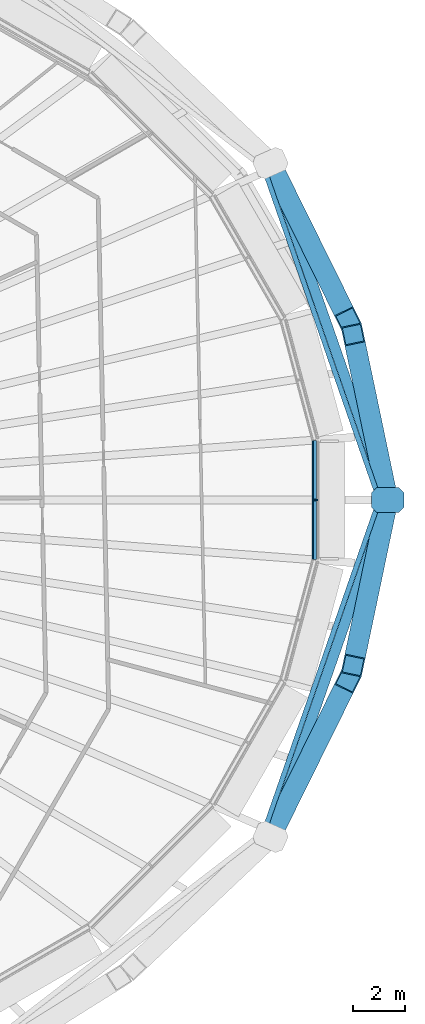
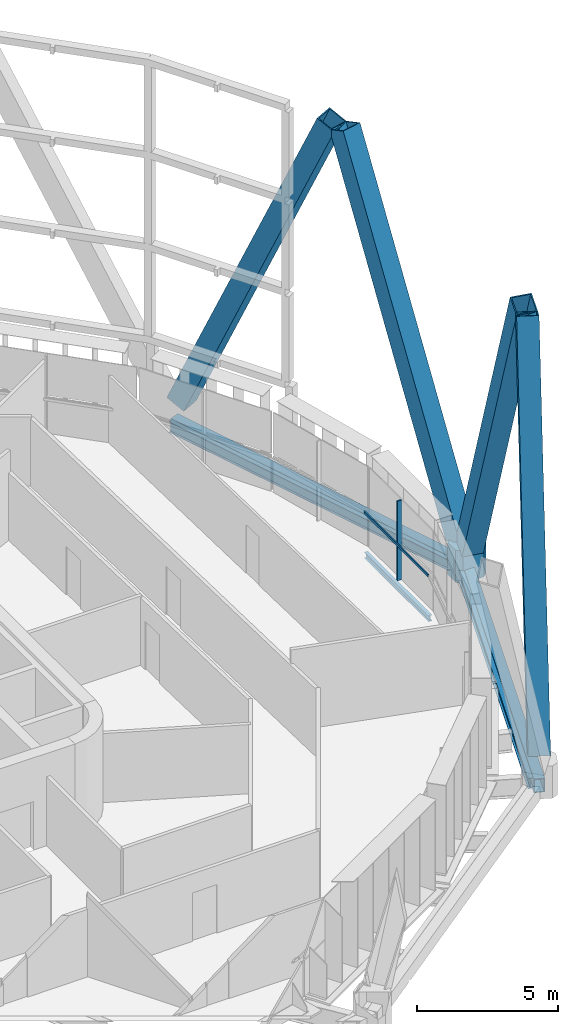
# One storey, part 10 of 25: 7 members, 5 beams, 1 element without a shape of its own.
"""IFC4 building model written with IfcOpenShell, lengths in metres."""

import ifcopenshell
import ifcopenshell.guid

model = None  # the IFC model being written
_history = None  # IfcOwnerHistory: only IFC2X3 demands one
_inside = {}  # id of a spatial element -> (the spatial element, [elements in it])
_under = {}  # id of a project, library or spatial element -> (it, [spatial elements below it])
_declared = {}  # id of a project -> (the project, [libraries it declares])
_typed = {}  # id of a type object -> (the type object, [elements of that type])
_made_of = {}  # id of a material, layer set ... -> (it, [elements and type objects made of it])


def new_model(schema):
    """Start an empty IFC model of exactly this schema.

    Asked for "IFC4X3", IfcOpenShell would pick the latest addendum, in which some entities
    have other attributes; the version numbers below select the first issue.
    IFC2X3 requires an IfcOwnerHistory on every rooted entity: one is made here for all.
    """
    global model, _history
    if schema == "IFC4X3":
        model = ifcopenshell.file(schema_version=(4, 3, 0, 0))
    else:
        model = ifcopenshell.file(schema=schema)
    _inside.clear()
    _under.clear()
    _declared.clear()
    _typed.clear()
    _made_of.clear()
    _history = None
    if model.schema == "IFC2X3":
        org = make("IfcOrganization", Name="unknown")
        user = make(
            "IfcPersonAndOrganization",
            ThePerson=make("IfcPerson", FamilyName="unknown"),
            TheOrganization=org,
        )
        app = make(
            "IfcApplication",
            ApplicationDeveloper=org,
            Version="unknown",
            ApplicationFullName="unknown",
            ApplicationIdentifier="unknown",
        )
        _history = make(
            "IfcOwnerHistory",
            OwningUser=user,
            OwningApplication=app,
            ChangeAction="ADDED",
            CreationDate=0,
        )
    return model


def make(cls, **values):
    """One entity of the class cls with the attributes given. An attribute that is None is left unset."""
    return model.create_entity(
        cls, **{name: value for name, value in values.items() if value is not None}
    )


def rooted(cls, **values):
    """An entity with a GlobalId (a new one), such as an element, a storey or a relation."""
    return make(cls, GlobalId=ifcopenshell.guid.new(), OwnerHistory=_history, **values)


def si_unit(unit_type, name, prefix=None):
    """IfcSIUnit, for example si_unit("LENGTHUNIT", "METRE", prefix="MILLI")."""
    return make("IfcSIUnit", UnitType=unit_type, Prefix=prefix, Name=name)


def assignment(units):
    """IfcUnitAssignment: the units of a project."""
    return None if units is None else make("IfcUnitAssignment", Units=units)


def point(xyz):
    """IfcCartesianPoint."""
    return None if xyz is None else make("IfcCartesianPoint", Coordinates=xyz)


def direction(xyz):
    """IfcDirection."""
    return None if xyz is None else make("IfcDirection", DirectionRatios=xyz)


def frame(location, z_axis=None, x_axis=None):
    """IfcAxis2Placement3D, a coordinate frame: its origin and axes. An axis left out is left unset."""
    return make(
        "IfcAxis2Placement3D",
        Location=point(location),
        Axis=direction(z_axis),
        RefDirection=direction(x_axis),
    )


def frame_2d(location, x_axis=None):
    """IfcAxis2Placement2D, a coordinate frame in the plane: its origin and x axis."""
    return make(
        "IfcAxis2Placement2D", Location=point(location), RefDirection=direction(x_axis)
    )


def origin():
    """The frame at (0, 0, 0) with its axes left unset."""
    return frame((0.0, 0.0, 0.0))


def origin_2d():
    """The frame at (0, 0) in the plane with its x axis left unset."""
    return frame_2d((0.0, 0.0))


def place(relative_to, where):
    """IfcLocalPlacement: puts the frame where relative to a parent placement (None: the world)."""
    return make(
        "IfcLocalPlacement", PlacementRelTo=relative_to, RelativePlacement=where
    )


def context(
    kind, dimensions, precision=None, world=None, true_north=None, identifier=None
):
    """IfcGeometricRepresentationContext, for example the 3D "Model" context."""
    return make(
        "IfcGeometricRepresentationContext",
        ContextIdentifier=identifier,
        ContextType=kind,
        CoordinateSpaceDimension=dimensions,
        Precision=precision,
        WorldCoordinateSystem=world,
        TrueNorth=true_north,
    )


def subcontext(parent, identifier, kind, view, scale=None):
    """IfcGeometricRepresentationSubContext, for example "Body" below "Model"."""
    return make(
        "IfcGeometricRepresentationSubContext",
        ContextIdentifier=identifier,
        ContextType=kind,
        ParentContext=parent,
        TargetScale=scale,
        TargetView=view,
    )


def project(units=None, contexts=None):
    """IfcProject with its units and contexts."""
    return rooted(
        "IfcProject",
        Name="project",
        RepresentationContexts=contexts,
        UnitsInContext=assignment(units),
    )


def spatial(cls, under=None, at=None, **own):
    """A site, building, storey or space (cls), placed at a placement, below another one or the project."""
    s = rooted(cls, ObjectPlacement=at, **own)
    if under is not None:
        _under.setdefault(under.id(), (under, []))[1].append(s)
    return s


def polyline(points):
    """IfcPolyline through the points."""
    return make("IfcPolyline", Points=[point(p) for p in points])


def profile(cls, at=None, kind="AREA", **sizes):
    """A parametric profile (cls). Its sizes go by their IFC names, for example OverallWidth=200.0."""
    return make(cls, ProfileType=kind, Position=at, **sizes)


def rectangle(**sizes):
    """IfcRectangleProfileDef."""
    return profile("IfcRectangleProfileDef", **sizes)


def hollow_rectangle(**sizes):
    """IfcRectangleHollowProfileDef."""
    return profile("IfcRectangleHollowProfileDef", **sizes)


def i_section(**sizes):
    """IfcIShapeProfileDef."""
    return profile("IfcIShapeProfileDef", **sizes)


def outline(outer, holes=None, kind="AREA"):
    """IfcArbitraryClosedProfileDef: a profile drawn as a closed curve; with holes, ...WithVoids."""
    if holes is None:
        return make("IfcArbitraryClosedProfileDef", ProfileType=kind, OuterCurve=outer)
    return make(
        "IfcArbitraryProfileDefWithVoids",
        ProfileType=kind,
        OuterCurve=outer,
        InnerCurves=holes,
    )


def extrude(swept, where, along, depth):
    """IfcExtrudedAreaSolid: the profile swept, set in the frame where, extruded along a direction by depth."""
    return make(
        "IfcExtrudedAreaSolid",
        SweptArea=swept,
        Position=where,
        ExtrudedDirection=direction(along),
        Depth=depth,
    )


def shape(context_of_items, identifier, shape_type, items):
    """IfcShapeRepresentation: the items that make up one representation, for example the "Body"."""
    return make(
        "IfcShapeRepresentation",
        ContextOfItems=context_of_items,
        RepresentationIdentifier=identifier,
        RepresentationType=shape_type,
        Items=items,
    )


def material(Name=None, Category=None):
    """IfcMaterial."""
    return make("IfcMaterial", Name=Name, Category=Category)


def layer(
    of_material, thickness, ventilated=None, Name=None, Category=None, Priority=None
):
    """IfcMaterialLayer: one layer of a wall or slab, of a material (None: an air gap)."""
    return make(
        "IfcMaterialLayer",
        Material=of_material,
        LayerThickness=thickness,
        IsVentilated=ventilated,
        Name=Name,
        Category=Category,
        Priority=Priority,
    )


def layer_set(layers, Name=None):
    """IfcMaterialLayerSet."""
    return make("IfcMaterialLayerSet", MaterialLayers=layers, LayerSetName=Name)


def material_profile(
    of_material, cross_section, Name=None, Category=None, Priority=None
):
    """IfcMaterialProfile: a cross section and its material."""
    return make(
        "IfcMaterialProfile",
        Name=Name,
        Material=of_material,
        Profile=cross_section,
        Priority=Priority,
        Category=Category,
    )


def profile_set(profiles, Name=None, composite=None):
    """IfcMaterialProfileSet."""
    return make(
        "IfcMaterialProfileSet",
        Name=Name,
        MaterialProfiles=profiles,
        CompositeProfile=composite,
    )


def made_of(thing, what):
    """Note that an element or type object is made of a material, layer set ...; save() writes the relation."""
    if what is not None:
        _made_of.setdefault(what.id(), (what, []))[1].append(thing)
    return thing


def type_object(cls, material=None, **own):
    """A type object (cls), such as IfcWallType, which elements share."""
    return made_of(rooted(cls, **own), material)


def element(
    cls,
    number,
    at=None,
    inside=None,
    cuts=None,
    type_object=None,
    material=None,
    context=None,
    identifier="Body",
    shape_type=None,
    held_by="IfcProductDefinitionShape",
    body=None,
    shapes=None,
    **own,
):
    """One element of the class cls, such as IfcWall. Its Tag is "e" and its number.

    at: its placement. inside: the storey or other place that contains it. cuts: it is an
    opening in that element (IfcRelVoidsElement). A single representation is given by context,
    identifier, shape_type and body (its items); several are given by shapes. held_by: the class
    of the entity that holds the representations. save() writes the other relations.
    """
    e = rooted(cls, Tag="e%d" % number, ObjectPlacement=at, **own)
    if body is not None:
        shapes = [shape(context, identifier, shape_type, body)]
    if shapes is not None:
        e.Representation = make(held_by, Representations=shapes)
    if inside is not None:
        _inside.setdefault(inside.id(), (inside, []))[1].append(e)
    if cuts is not None:
        rooted(
            "IfcRelVoidsElement", RelatingBuildingElement=cuts, RelatedOpeningElement=e
        )
    if type_object is not None:
        _typed.setdefault(type_object.id(), (type_object, []))[1].append(e)
    return made_of(e, material)


def aggregate(whole, parts):
    """IfcRelAggregates: a whole, such as a stair, and the parts it consists of."""
    return rooted("IfcRelAggregates", RelatingObject=whole, RelatedObjects=parts)


def save(model, path):
    """Write the relations noted so far, then the file.

    IfcRelAggregates (storeys below a building ...), IfcRelContainedInSpatialStructure (elements
    in a storey), IfcRelDefinesByType, IfcRelAssociatesMaterial and IfcRelDeclares: one each for
    every whole, place, type object, material and project.
    """
    for whole, parts in _under.values():
        aggregate(whole, parts)
    for where, things in _inside.values():
        rooted(
            "IfcRelContainedInSpatialStructure",
            RelatedElements=things,
            RelatingStructure=where,
        )
    for kind, things in _typed.values():
        rooted("IfcRelDefinesByType", RelatedObjects=things, RelatingType=kind)
    for what, things in _made_of.values():
        rooted("IfcRelAssociatesMaterial", RelatedObjects=things, RelatingMaterial=what)
    for by, libraries in _declared.values():
        rooted("IfcRelDeclares", RelatingContext=by, RelatedDefinitions=libraries)
    model.write(path)


model = new_model("IFC4")

# Units and contexts
model_context = context("Model", 3, precision=1e-05, world=origin(), true_north=direction((0.0, 1.0)))
body_context = subcontext(model_context, "Body", "Model", "MODEL_VIEW")
ifc_project = project(units=[si_unit("LENGTHUNIT", "METRE"), si_unit("AREAUNIT", "SQUARE_METRE"), si_unit("VOLUMEUNIT", "CUBIC_METRE"), si_unit("PLANEANGLEUNIT", "RADIAN"), si_unit("MASSUNIT", "GRAM", prefix="KILO")], contexts=[model_context])

# Site, building, storey
site_placement = place(None, origin())
site = spatial("IfcSite", under=ifc_project, at=site_placement, CompositionType="ELEMENT")
building_placement = place(site_placement, origin())
building = spatial("IfcBuilding", under=site, at=building_placement, Name="Sahrelin Media Tower", CompositionType="ELEMENT")
storey_placement = place(building_placement, frame((0.0, 0.0, 181.60009765625)))
storey = spatial("IfcBuildingStorey", under=building, at=storey_placement, Name="L38", CompositionType="ELEMENT", Elevation=181.60009765625)

# Members
ifc_material_1 = material(Name="Steel S460", Category="steel")
ifc_material_profile_1 = material_profile(ifc_material_1, hollow_rectangle(XDim=0.800048828125, YDim=0.800048828125, WallThickness=0.044921875, at=origin_2d()), Name="Diagrid diagonal DG5")
ifc_profile_set_1 = profile_set([ifc_material_profile_1], Name="Steel S460")
member_type_1 = type_object("IfcMemberType", Name="Diagrid diagonal DG5", PredefinedType="BRACE", material=ifc_profile_set_1)
member_1_placement = place(storey_placement, frame((33.62060546875, 0.291259765625, 0.699951171875), z_axis=(-0.080128703481, 0.38302351251, 0.920256692311), x_axis=(-0.978810609336, -0.204767651379, 0.0)))
element("IfcMember", 1, at=member_1_placement, inside=storey, type_object=member_type_1, Name="Diagrid diagonal D08-00", PredefinedType="BRACE", context=body_context, shape_type="SweptSolid", body=[
    extrude(hollow_rectangle(XDim=0.800048828125, YDim=0.800048828125, WallThickness=0.044921875, at=origin_2d()), origin(), (0.0, 0.0, 1.0), 15.864990234375),
])
for number, where, z_axis, x_axis, name in (
    (2, (29.3056640625, 12.6865234375, 0.699951171875), (0.17846698744, -0.360653950686, 0.915466144785), (0.896268464478, 0.44351193849, 0.0), "Diagrid diagonal D08-01"),
    (3, (29.3056640625, -12.6865234375, 0.699951171875), (0.17846698744, 0.360653950686, 0.915466144785), (-0.896268464478, 0.44351193849, 0.0), "Diagrid diagonal D08-22"),
):
    element("IfcMember", number, at=place(storey_placement, frame(where, z_axis=z_axis, x_axis=x_axis)), inside=storey, type_object=member_type_1, Name=name, PredefinedType="BRACE", context=body_context, shape_type="SweptSolid", body=[
        extrude(hollow_rectangle(XDim=0.800048828125, YDim=0.800048828125, WallThickness=0.044921875, at=origin_2d()), origin(), (0.0, 0.0, 1.0), 15.947998046875),
    ])
member_2_placement = place(storey_placement, frame((33.62060546875, -0.291259765625, 0.699951171875), z_axis=(-0.080128703481, -0.38302351251, 0.920256692311), x_axis=(0.978810609336, -0.204767651379, 0.0)))
element("IfcMember", 4, at=member_2_placement, inside=storey, type_object=member_type_1, Name="Diagrid diagonal D08-23", PredefinedType="BRACE", context=body_context, shape_type="SweptSolid", body=[
    extrude(hollow_rectangle(XDim=0.800048828125, YDim=0.800048828125, WallThickness=0.044921875, at=origin_2d()), origin(), (0.0, 0.0, 1.0), 15.864990234375),
])
ifc_material_profile_2 = material_profile(ifc_material_1, outline(polyline([(0.425048828125, -0.47509765625), (0.625, -0.27490234375), (0.625, 0.27490234375), (0.425048828125, 0.47509765625), (-0.425048828125, 0.47509765625), (-0.625, 0.27490234375), (-0.625, -0.27490234375), (-0.425048828125, -0.47509765625), (0.425048828125, -0.47509765625)])), Name="Diagrid node block 1250")
ifc_profile_set_2 = profile_set([ifc_material_profile_2], Name="Steel S460")
member_type_2 = type_object("IfcMemberType", Name="Diagrid node block 1250", PredefinedType="USERDEFINED", material=ifc_profile_set_2)
member_3_placement = place(storey_placement, frame((33.681640625, 0.0, -0.7001953125), z_axis=(0.0, 0.0, 1.0), x_axis=(1.0, 0.0, 0.0)))
element("IfcMember", 5, at=member_3_placement, inside=storey, type_object=member_type_2, Name="Diagrid node N08-00", ObjectType="NODE", PredefinedType="USERDEFINED", context=body_context, shape_type="SweptSolid", body=[
    extrude(outline(polyline([(0.425048828125, -0.47509765625), (0.625, -0.27490234375), (0.625, 0.27490234375), (0.425048828125, 0.47509765625), (-0.425048828125, 0.47509765625), (-0.625, 0.27490234375), (-0.625, -0.27490234375), (-0.425048828125, -0.47509765625), (0.425048828125, -0.47509765625)])), origin(), (0.0, 0.0, 1.0), 1.400146484375),
])

# Beams
ifc_material_profile_3 = material_profile(ifc_material_1, hollow_rectangle(XDim=0.39990234375, YDim=0.60009765625, WallThickness=0.030029296875, at=origin_2d()), Name="Diagrid ring beam RB1")
ifc_profile_set_3 = profile_set([ifc_material_profile_3], Name="Steel S460")
beam_type_1 = type_object("IfcBeamType", Name="Diagrid ring beam RB1", PredefinedType="BEAM", material=ifc_profile_set_3)
for number, where, z_axis, x_axis, name in (
    (6, (33.681640625, 0.0, -0.4501953125), (-0.328766909565, 0.944411096491, 0.0), (-0.944411096491, -0.328766909565, 0.0), "Diagrid ring beam RB08-00"),
    (7, (29.169189453125, -12.96240234375, -0.4501953125), (0.328766909565, 0.944411096491, 0.0), (-0.944411096491, 0.328766909565, 0.0), "Diagrid ring beam RB08-11"),
):
    element("IfcBeam", number, at=place(storey_placement, frame(where, z_axis=z_axis, x_axis=x_axis)), inside=storey, type_object=beam_type_1, Name=name, PredefinedType="BEAM", context=body_context, shape_type="SweptSolid", body=[
        extrude(hollow_rectangle(XDim=0.39990234375, YDim=0.60009765625, WallThickness=0.030029296875, at=origin_2d()), origin(), (0.0, 0.0, 1.0), 13.725341796875),
    ])
ifc_material_2 = material(Name="Steel S355", Category="steel")
ifc_material_profile_4 = material_profile(ifc_material_2, i_section(OverallWidth=0.14599609375, OverallDepth=0.25146484375, WebThickness=0.006103515625, FlangeThickness=0.008544921875, FilletRadius=0.007568359375, at=origin_2d()), Name="UB 254x146x31")
ifc_profile_set_4 = profile_set([ifc_material_profile_4], Name="Steel S355")
beam_type_2 = type_object("IfcBeamType", Name="Edge beam EB1", PredefinedType="BEAM", material=ifc_profile_set_4)
beam_placement = place(storey_placement, frame((30.865478515625, 2.2822265625, -0.27587890625), z_axis=(0.0, -1.0, 0.0), x_axis=(1.0, 0.0, 0.0)))
element("IfcBeam", 8, at=beam_placement, inside=storey, type_object=beam_type_2, Name="Edge beam L38-01", PredefinedType="BEAM", context=body_context, shape_type="SweptSolid", body=[
    extrude(i_section(OverallWidth=0.14599609375, OverallDepth=0.25146484375, WebThickness=0.006103515625, FlangeThickness=0.008544921875, FilletRadius=0.007568359375, at=origin_2d()), origin(), (0.0, 0.0, 1.0), 4.564453125),
])

# Curtain wall, member
ifc_material_3 = material(Name="Champagne anodised aluminium 6063-T6", Category="aluminium")
ifc_layer = layer(ifc_material_3, 0.14990234375)
ifc_layer_set = layer_set([ifc_layer], Name="Tower ribbon curtain wall")
curtain_wall_type = type_object("IfcCurtainWallType", Name="Tower ribbon curtain wall", PredefinedType="NOTDEFINED", material=ifc_layer_set)
curtain_wall_placement = place(storey_placement, frame((31.015625, 0.0, 0.0), z_axis=(0.0, 0.0, 1.0), x_axis=(1.0, 0.0, 0.0)))
curtain_wall = element("IfcCurtainWall", 9, at=curtain_wall_placement, inside=storey, type_object=curtain_wall_type, Name="L38:CW:L38-00", PredefinedType="NOTDEFINED")
ifc_material_profile_5 = material_profile(ifc_material_3, rectangle(XDim=0.06005859375, YDim=0.175048828125, at=origin_2d()), Name="Mullion 60x175")
ifc_profile_set_5 = profile_set([ifc_material_profile_5], Name="Champagne anodised aluminium 6063-T6")
member_type_3 = type_object("IfcMemberType", Name="Mullion 60x175 CW1B", PredefinedType="MULLION", material=ifc_profile_set_5)
member_4_placement = place(storey_placement, frame((30.908203125, 0.0, 0.0), z_axis=(0.0, 0.0, 1.0), x_axis=(0.0, 1.0, 0.0)))
member_4 = element("IfcMember", 10, at=member_4_placement, type_object=member_type_3, Name="L38:CWM:L38-00", PredefinedType="MULLION", context=body_context, shape_type="SweptSolid", body=[
    extrude(rectangle(XDim=0.06005859375, YDim=0.175048828125, at=origin_2d()), origin(), (0.0, 0.0, 1.0), 3.448486328125),
])

# Beams
ifc_material_profile_6 = material_profile(ifc_material_2, i_section(OverallWidth=0.1904296875, OverallDepth=0.45703125, WebThickness=0.009033203125, FlangeThickness=0.014404296875, FilletRadius=0.01025390625, at=origin_2d()), Name="UB 457x191x74")
ifc_profile_set_6 = profile_set([ifc_material_profile_6], Name="Steel S355")
beam_type_3 = type_object("IfcBeamType", Name="Tie chord TC5", PredefinedType="BEAM", material=ifc_profile_set_6)
for number, where, z_axis, x_axis, name in (
    (11, (33.36376953125, 0.0, -0.378662109375), (-0.328773941045, -0.944408648674, 0.0), (0.944408648674, -0.328773941045, 0.0), "Tie chord L38-01"),
    (12, (28.9150390625, 12.779052734375, -0.378662109375), (0.328773941045, -0.944408648674, 0.0), (0.944408648674, 0.328773941045, 0.0), "Tie chord L38-12"),
):
    element("IfcBeam", number, at=place(storey_placement, frame(where, z_axis=z_axis, x_axis=x_axis)), inside=storey, type_object=beam_type_3, Name=name, PredefinedType="BEAM", context=body_context, shape_type="SweptSolid", body=[
        extrude(i_section(OverallWidth=0.1904296875, OverallDepth=0.45703125, WebThickness=0.009033203125, FlangeThickness=0.014404296875, FilletRadius=0.01025390625, at=origin_2d()), origin(), (0.0, 0.0, 1.0), 13.53125),
    ])

# Member
ifc_material_profile_7 = material_profile(ifc_material_3, rectangle(XDim=0.050048828125, YDim=0.110107421875, at=origin_2d()), Name="Transom 50x110")
ifc_profile_set_7 = profile_set([ifc_material_profile_7], Name="Champagne anodised aluminium 6063-T6")
member_type_4 = type_object("IfcMemberType", Name="Transom 50x110 CW1B", PredefinedType="USERDEFINED", material=ifc_profile_set_7)
member_5_placement = place(storey_placement, frame((30.795654296875, -2.2666015625, 1.599853515625), z_axis=(0.0, 1.0, 0.0), x_axis=(-1.0, 0.0, 0.0)))
member_5 = element("IfcMember", 13, at=member_5_placement, type_object=member_type_4, Name="L38:CWT:L38-00", ObjectType="TRANSOM", PredefinedType="USERDEFINED", context=body_context, shape_type="SweptSolid", body=[
    extrude(rectangle(XDim=0.050048828125, YDim=0.110107421875, at=origin_2d()), origin(), (0.0, 0.0, 1.0), 4.533203125),
])

aggregate(curtain_wall, [member_4, member_5])

save(model, "model.ifc")
